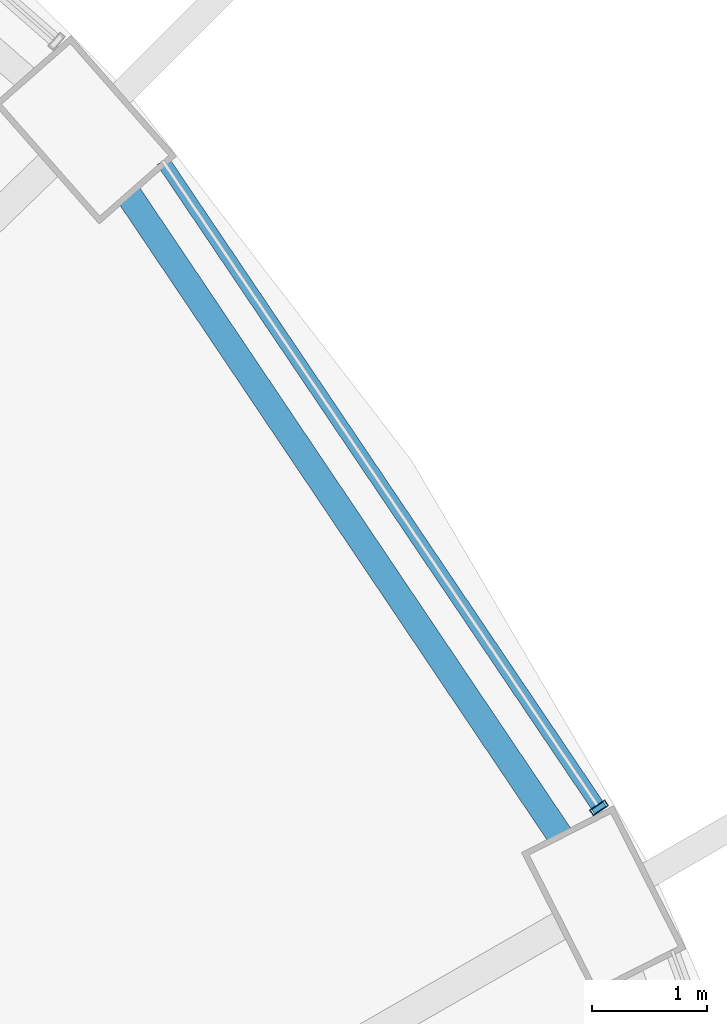
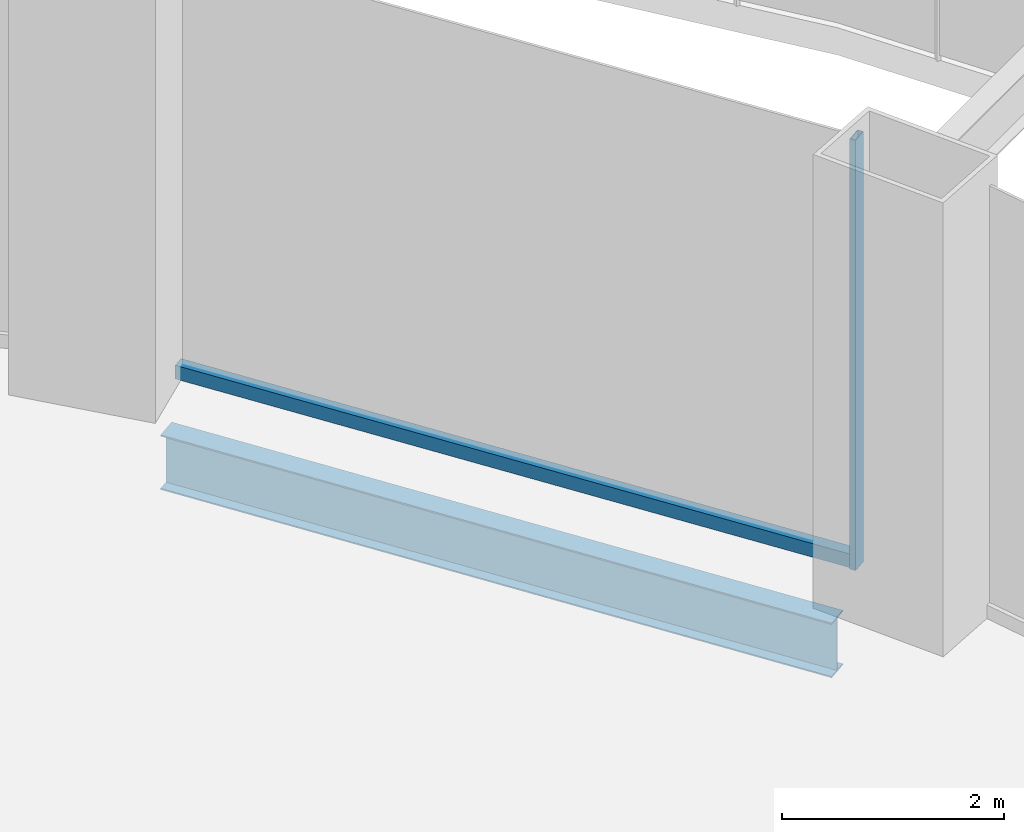
# One storey, part 25 of 52: 2 members, 1 beam, 1 element without a shape of its own.
"""IFC4 building model written with IfcOpenShell, lengths in metres."""

import ifcopenshell
import ifcopenshell.guid

model = None  # the IFC model being written
_history = None  # IfcOwnerHistory: only IFC2X3 demands one
_inside = {}  # id of a spatial element -> (the spatial element, [elements in it])
_under = {}  # id of a project, library or spatial element -> (it, [spatial elements below it])
_declared = {}  # id of a project -> (the project, [libraries it declares])
_typed = {}  # id of a type object -> (the type object, [elements of that type])
_made_of = {}  # id of a material, layer set ... -> (it, [elements and type objects made of it])


def new_model(schema):
    """Start an empty IFC model of exactly this schema.

    Asked for "IFC4X3", IfcOpenShell would pick the latest addendum, in which some entities
    have other attributes; the version numbers below select the first issue.
    IFC2X3 requires an IfcOwnerHistory on every rooted entity: one is made here for all.
    """
    global model, _history
    if schema == "IFC4X3":
        model = ifcopenshell.file(schema_version=(4, 3, 0, 0))
    else:
        model = ifcopenshell.file(schema=schema)
    _inside.clear()
    _under.clear()
    _declared.clear()
    _typed.clear()
    _made_of.clear()
    _history = None
    if model.schema == "IFC2X3":
        org = make("IfcOrganization", Name="unknown")
        user = make(
            "IfcPersonAndOrganization",
            ThePerson=make("IfcPerson", FamilyName="unknown"),
            TheOrganization=org,
        )
        app = make(
            "IfcApplication",
            ApplicationDeveloper=org,
            Version="unknown",
            ApplicationFullName="unknown",
            ApplicationIdentifier="unknown",
        )
        _history = make(
            "IfcOwnerHistory",
            OwningUser=user,
            OwningApplication=app,
            ChangeAction="ADDED",
            CreationDate=0,
        )
    return model


def make(cls, **values):
    """One entity of the class cls with the attributes given. An attribute that is None is left unset."""
    return model.create_entity(
        cls, **{name: value for name, value in values.items() if value is not None}
    )


def rooted(cls, **values):
    """An entity with a GlobalId (a new one), such as an element, a storey or a relation."""
    return make(cls, GlobalId=ifcopenshell.guid.new(), OwnerHistory=_history, **values)


def si_unit(unit_type, name, prefix=None):
    """IfcSIUnit, for example si_unit("LENGTHUNIT", "METRE", prefix="MILLI")."""
    return make("IfcSIUnit", UnitType=unit_type, Prefix=prefix, Name=name)


def assignment(units):
    """IfcUnitAssignment: the units of a project."""
    return None if units is None else make("IfcUnitAssignment", Units=units)


def point(xyz):
    """IfcCartesianPoint."""
    return None if xyz is None else make("IfcCartesianPoint", Coordinates=xyz)


def direction(xyz):
    """IfcDirection."""
    return None if xyz is None else make("IfcDirection", DirectionRatios=xyz)


def frame(location, z_axis=None, x_axis=None):
    """IfcAxis2Placement3D, a coordinate frame: its origin and axes. An axis left out is left unset."""
    return make(
        "IfcAxis2Placement3D",
        Location=point(location),
        Axis=direction(z_axis),
        RefDirection=direction(x_axis),
    )


def frame_2d(location, x_axis=None):
    """IfcAxis2Placement2D, a coordinate frame in the plane: its origin and x axis."""
    return make(
        "IfcAxis2Placement2D", Location=point(location), RefDirection=direction(x_axis)
    )


def origin():
    """The frame at (0, 0, 0) with its axes left unset."""
    return frame((0.0, 0.0, 0.0))


def origin_2d():
    """The frame at (0, 0) in the plane with its x axis left unset."""
    return frame_2d((0.0, 0.0))


def place(relative_to, where):
    """IfcLocalPlacement: puts the frame where relative to a parent placement (None: the world)."""
    return make(
        "IfcLocalPlacement", PlacementRelTo=relative_to, RelativePlacement=where
    )


def context(
    kind, dimensions, precision=None, world=None, true_north=None, identifier=None
):
    """IfcGeometricRepresentationContext, for example the 3D "Model" context."""
    return make(
        "IfcGeometricRepresentationContext",
        ContextIdentifier=identifier,
        ContextType=kind,
        CoordinateSpaceDimension=dimensions,
        Precision=precision,
        WorldCoordinateSystem=world,
        TrueNorth=true_north,
    )


def subcontext(parent, identifier, kind, view, scale=None):
    """IfcGeometricRepresentationSubContext, for example "Body" below "Model"."""
    return make(
        "IfcGeometricRepresentationSubContext",
        ContextIdentifier=identifier,
        ContextType=kind,
        ParentContext=parent,
        TargetScale=scale,
        TargetView=view,
    )


def project(units=None, contexts=None):
    """IfcProject with its units and contexts."""
    return rooted(
        "IfcProject",
        Name="project",
        RepresentationContexts=contexts,
        UnitsInContext=assignment(units),
    )


def spatial(cls, under=None, at=None, **own):
    """A site, building, storey or space (cls), placed at a placement, below another one or the project."""
    s = rooted(cls, ObjectPlacement=at, **own)
    if under is not None:
        _under.setdefault(under.id(), (under, []))[1].append(s)
    return s


def profile(cls, at=None, kind="AREA", **sizes):
    """A parametric profile (cls). Its sizes go by their IFC names, for example OverallWidth=200.0."""
    return make(cls, ProfileType=kind, Position=at, **sizes)


def hollow_rectangle(**sizes):
    """IfcRectangleHollowProfileDef."""
    return profile("IfcRectangleHollowProfileDef", **sizes)


def i_section(**sizes):
    """IfcIShapeProfileDef."""
    return profile("IfcIShapeProfileDef", **sizes)


def extrude(swept, where, along, depth):
    """IfcExtrudedAreaSolid: the profile swept, set in the frame where, extruded along a direction by depth."""
    return make(
        "IfcExtrudedAreaSolid",
        SweptArea=swept,
        Position=where,
        ExtrudedDirection=direction(along),
        Depth=depth,
    )


def shape(context_of_items, identifier, shape_type, items):
    """IfcShapeRepresentation: the items that make up one representation, for example the "Body"."""
    return make(
        "IfcShapeRepresentation",
        ContextOfItems=context_of_items,
        RepresentationIdentifier=identifier,
        RepresentationType=shape_type,
        Items=items,
    )


def material(Name=None, Category=None):
    """IfcMaterial."""
    return make("IfcMaterial", Name=Name, Category=Category)


def layer(
    of_material, thickness, ventilated=None, Name=None, Category=None, Priority=None
):
    """IfcMaterialLayer: one layer of a wall or slab, of a material (None: an air gap)."""
    return make(
        "IfcMaterialLayer",
        Material=of_material,
        LayerThickness=thickness,
        IsVentilated=ventilated,
        Name=Name,
        Category=Category,
        Priority=Priority,
    )


def layer_set(layers, Name=None):
    """IfcMaterialLayerSet."""
    return make("IfcMaterialLayerSet", MaterialLayers=layers, LayerSetName=Name)


def material_profile(
    of_material, cross_section, Name=None, Category=None, Priority=None
):
    """IfcMaterialProfile: a cross section and its material."""
    return make(
        "IfcMaterialProfile",
        Name=Name,
        Material=of_material,
        Profile=cross_section,
        Priority=Priority,
        Category=Category,
    )


def profile_set(profiles, Name=None, composite=None):
    """IfcMaterialProfileSet."""
    return make(
        "IfcMaterialProfileSet",
        Name=Name,
        MaterialProfiles=profiles,
        CompositeProfile=composite,
    )


def made_of(thing, what):
    """Note that an element or type object is made of a material, layer set ...; save() writes the relation."""
    if what is not None:
        _made_of.setdefault(what.id(), (what, []))[1].append(thing)
    return thing


def type_object(cls, material=None, **own):
    """A type object (cls), such as IfcWallType, which elements share."""
    return made_of(rooted(cls, **own), material)


def element(
    cls,
    number,
    at=None,
    inside=None,
    cuts=None,
    type_object=None,
    material=None,
    context=None,
    identifier="Body",
    shape_type=None,
    held_by="IfcProductDefinitionShape",
    body=None,
    shapes=None,
    **own,
):
    """One element of the class cls, such as IfcWall. Its Tag is "e" and its number.

    at: its placement. inside: the storey or other place that contains it. cuts: it is an
    opening in that element (IfcRelVoidsElement). A single representation is given by context,
    identifier, shape_type and body (its items); several are given by shapes. held_by: the class
    of the entity that holds the representations. save() writes the other relations.
    """
    e = rooted(cls, Tag="e%d" % number, ObjectPlacement=at, **own)
    if body is not None:
        shapes = [shape(context, identifier, shape_type, body)]
    if shapes is not None:
        e.Representation = make(held_by, Representations=shapes)
    if inside is not None:
        _inside.setdefault(inside.id(), (inside, []))[1].append(e)
    if cuts is not None:
        rooted(
            "IfcRelVoidsElement", RelatingBuildingElement=cuts, RelatedOpeningElement=e
        )
    if type_object is not None:
        _typed.setdefault(type_object.id(), (type_object, []))[1].append(e)
    return made_of(e, material)


def aggregate(whole, parts):
    """IfcRelAggregates: a whole, such as a stair, and the parts it consists of."""
    return rooted("IfcRelAggregates", RelatingObject=whole, RelatedObjects=parts)


def save(model, path):
    """Write the relations noted so far, then the file.

    IfcRelAggregates (storeys below a building ...), IfcRelContainedInSpatialStructure (elements
    in a storey), IfcRelDefinesByType, IfcRelAssociatesMaterial and IfcRelDeclares: one each for
    every whole, place, type object, material and project.
    """
    for whole, parts in _under.values():
        aggregate(whole, parts)
    for where, things in _inside.values():
        rooted(
            "IfcRelContainedInSpatialStructure",
            RelatedElements=things,
            RelatingStructure=where,
        )
    for kind, things in _typed.values():
        rooted("IfcRelDefinesByType", RelatedObjects=things, RelatingType=kind)
    for what, things in _made_of.values():
        rooted("IfcRelAssociatesMaterial", RelatedObjects=things, RelatingMaterial=what)
    for by, libraries in _declared.values():
        rooted("IfcRelDeclares", RelatingContext=by, RelatedDefinitions=libraries)
    model.write(path)


model = new_model("IFC4")

# Units and contexts
model_context = context("Model", 3, precision=1e-05, world=origin(), true_north=direction((0.0, 1.0)))
body_context = subcontext(model_context, "Body", "Model", "MODEL_VIEW")
ifc_project = project(units=[si_unit("LENGTHUNIT", "METRE"), si_unit("AREAUNIT", "SQUARE_METRE"), si_unit("VOLUMEUNIT", "CUBIC_METRE"), si_unit("PLANEANGLEUNIT", "RADIAN"), si_unit("MASSUNIT", "GRAM", prefix="KILO")], contexts=[model_context])

# Site, building, storey
site_placement = place(None, origin())
site = spatial("IfcSite", under=ifc_project, at=site_placement, CompositionType="ELEMENT")
building_placement = place(site_placement, origin())
building = spatial("IfcBuilding", under=site, at=building_placement, Name="Nagisa Residences", CompositionType="ELEMENT")
storey_placement = place(building_placement, frame((0.0, 0.0, 22.0)))
storey = spatial("IfcBuildingStorey", under=building, at=storey_placement, Name="L04", CompositionType="ELEMENT", Elevation=22.0)

# Curtain wall, members
ifc_material_1 = material(Name="Stainless steel curtain wall system", Category="steel")
ifc_layer = layer(ifc_material_1, 0.159912109375)
ifc_layer_set = layer_set([ifc_layer], Name="CW6 CURTAIN WALL")
curtain_wall_type = type_object("IfcCurtainWallType", Name="CW6 CURTAIN WALL", PredefinedType="NOTDEFINED", material=ifc_layer_set)
curtain_wall_placement = place(storey_placement, origin())
curtain_wall = element("IfcCurtainWall", 1, at=curtain_wall_placement, inside=storey, type_object=curtain_wall_type, Name="cw:CW6:L04:04", PredefinedType="NOTDEFINED")
ifc_material_2 = material(Name="Stainless steel", Category="steel")
ifc_material_profile_1 = material_profile(ifc_material_2, hollow_rectangle(XDim=0.159912109375, YDim=0.06005859375, WallThickness=0.006103515625, at=origin_2d()), Name="CW6 MULLION 160x60")
ifc_profile_set_1 = profile_set([ifc_material_profile_1], Name="Stainless steel")
member_type_1 = type_object("IfcMemberType", Name="CW6 MULLION 160x60", PredefinedType="MULLION", material=ifc_profile_set_1)
member_1_placement = place(storey_placement, frame((28.240234375, 17.060546875, 0.0), z_axis=(0.0, 0.0, 1.0), x_axis=(-0.829110926393, -0.559084136544, 0.0)))
member_1 = element("IfcMember", 2, at=member_1_placement, type_object=member_type_1, Name="CW6 mullion", PredefinedType="MULLION", context=body_context, shape_type="SweptSolid", body=[
    extrude(hollow_rectangle(XDim=0.159912109375, YDim=0.06005859375, WallThickness=0.006103515625, at=origin_2d()), origin(), (0.0, 0.0, 1.0), 4.739990234375),
])
ifc_material_3 = material(Name="Stainless steel", Category="steel")
ifc_material_profile_2 = material_profile(ifc_material_3, hollow_rectangle(XDim=0.1201171875, YDim=0.14990234375, WallThickness=0.008056640625, at=origin_2d()), Name="CW6 TRANSOM 120x150")
ifc_profile_set_2 = profile_set([ifc_material_profile_2], Name="Stainless steel")
member_type_2 = type_object("IfcMemberType", Name="CW6 TRANSOM 120x150", PredefinedType="USERDEFINED", material=ifc_profile_set_2)
member_2_placement = place(storey_placement, frame((28.257080078125, 17.03564453125, 0.074951171875), z_axis=(-0.559080645991, 0.829113280124, 0.0), x_axis=(-0.829113280124, -0.559080645991, 0.0)))
member_2 = element("IfcMember", 3, at=member_2_placement, type_object=member_type_2, Name="CW6 transom", ObjectType="TRANSOM", PredefinedType="USERDEFINED", context=body_context, shape_type="SweptSolid", body=[
    extrude(hollow_rectangle(XDim=0.1201171875, YDim=0.14990234375, WallThickness=0.008056640625, at=origin_2d()), origin(), (0.0, 0.0, 1.0), 6.84326171875),
])
aggregate(curtain_wall, [member_1, member_2])

# Beam
ifc_material_4 = material(Name="Steel ASTM A572 Gr 50", Category="steel")
ifc_material_profile_3 = material_profile(ifc_material_4, i_section(OverallWidth=0.22802734375, OverallDepth=0.60302734375, WebThickness=0.010498046875, FlangeThickness=0.014892578125, at=origin_2d()), Name="W610x101")
ifc_profile_set_3 = profile_set([ifc_material_profile_3], Name="Steel ASTM A572 Gr 50")
beam_type = type_object("IfcBeamType", Name="Perimeter ring beam W610x101", PredefinedType="BEAM", material=ifc_profile_set_3)
beam_placement = place(storey_placement, frame((27.899169921875, 16.818603515625, -0.6015625), z_axis=(-0.558271879663, 0.829658067144, 0.0), x_axis=(-0.829658067144, -0.558271879663, 0.0)))
element("IfcBeam", 4, at=beam_placement, inside=storey, type_object=beam_type, Name="beam:L04:pb03", PredefinedType="BEAM", context=body_context, shape_type="SweptSolid", body=[
    extrude(i_section(OverallWidth=0.22802734375, OverallDepth=0.60302734375, WebThickness=0.010498046875, FlangeThickness=0.014892578125, at=origin_2d()), origin(), (0.0, 0.0, 1.0), 6.74169921875),
])

save(model, "model.ifc")
